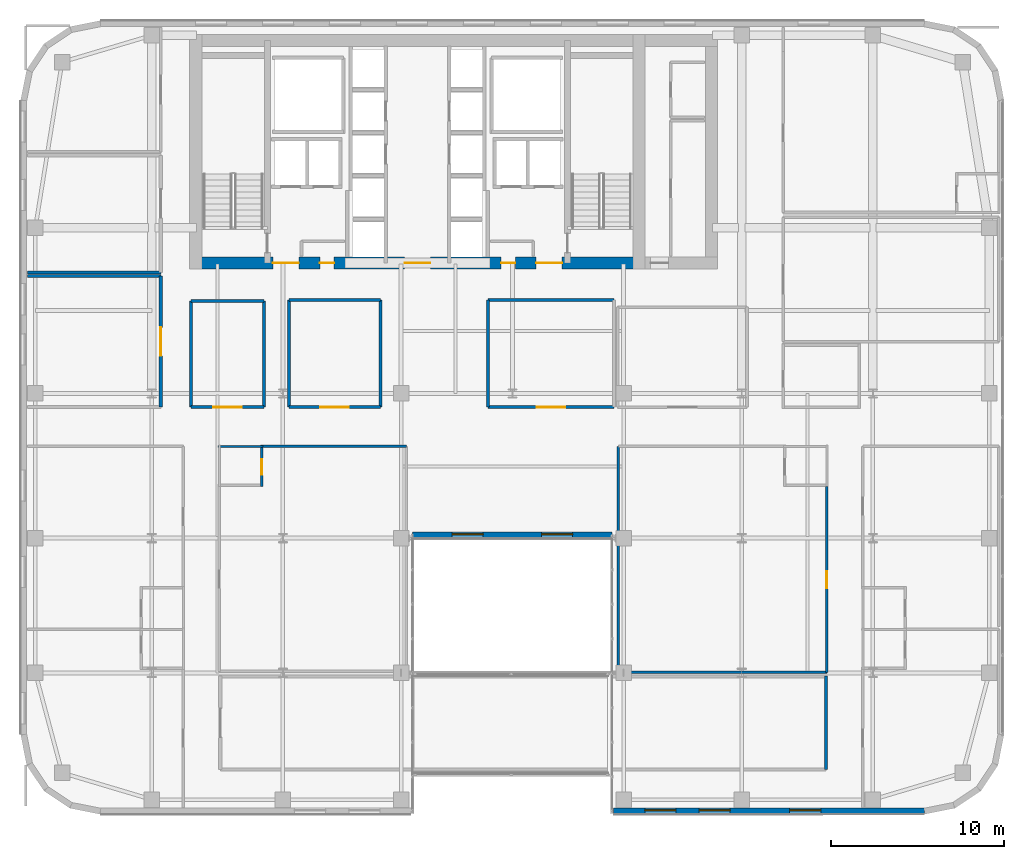
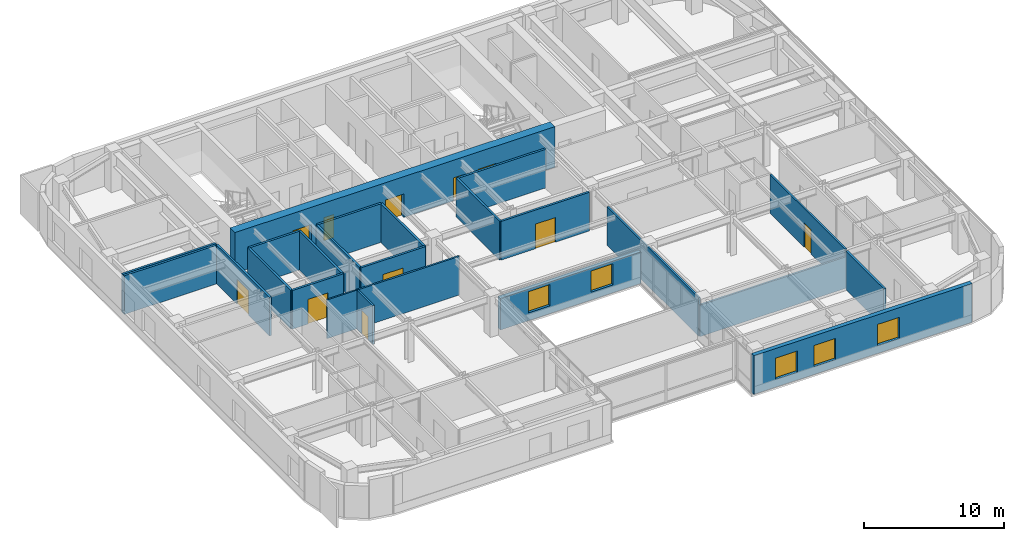
# One storey, part 22 of 31: 24 walls, 11 doors, 5 windows, 16 openings.
"""IFC4 building model written with IfcOpenShell, lengths in metres."""

import ifcopenshell
import ifcopenshell.guid

model = None  # the IFC model being written
_history = None  # IfcOwnerHistory: only IFC2X3 demands one
_inside = {}  # id of a spatial element -> (the spatial element, [elements in it])
_under = {}  # id of a project, library or spatial element -> (it, [spatial elements below it])
_declared = {}  # id of a project -> (the project, [libraries it declares])
_typed = {}  # id of a type object -> (the type object, [elements of that type])
_made_of = {}  # id of a material, layer set ... -> (it, [elements and type objects made of it])


def new_model(schema):
    """Start an empty IFC model of exactly this schema.

    Asked for "IFC4X3", IfcOpenShell would pick the latest addendum, in which some entities
    have other attributes; the version numbers below select the first issue.
    IFC2X3 requires an IfcOwnerHistory on every rooted entity: one is made here for all.
    """
    global model, _history
    if schema == "IFC4X3":
        model = ifcopenshell.file(schema_version=(4, 3, 0, 0))
    else:
        model = ifcopenshell.file(schema=schema)
    _inside.clear()
    _under.clear()
    _declared.clear()
    _typed.clear()
    _made_of.clear()
    _history = None
    if model.schema == "IFC2X3":
        org = make("IfcOrganization", Name="unknown")
        user = make(
            "IfcPersonAndOrganization",
            ThePerson=make("IfcPerson", FamilyName="unknown"),
            TheOrganization=org,
        )
        app = make(
            "IfcApplication",
            ApplicationDeveloper=org,
            Version="unknown",
            ApplicationFullName="unknown",
            ApplicationIdentifier="unknown",
        )
        _history = make(
            "IfcOwnerHistory",
            OwningUser=user,
            OwningApplication=app,
            ChangeAction="ADDED",
            CreationDate=0,
        )
    return model


def make(cls, **values):
    """One entity of the class cls with the attributes given. An attribute that is None is left unset."""
    return model.create_entity(
        cls, **{name: value for name, value in values.items() if value is not None}
    )


def rooted(cls, **values):
    """An entity with a GlobalId (a new one), such as an element, a storey or a relation."""
    return make(cls, GlobalId=ifcopenshell.guid.new(), OwnerHistory=_history, **values)


def si_unit(unit_type, name, prefix=None):
    """IfcSIUnit, for example si_unit("LENGTHUNIT", "METRE", prefix="MILLI")."""
    return make("IfcSIUnit", UnitType=unit_type, Prefix=prefix, Name=name)


def assignment(units):
    """IfcUnitAssignment: the units of a project."""
    return None if units is None else make("IfcUnitAssignment", Units=units)


def point(xyz):
    """IfcCartesianPoint."""
    return None if xyz is None else make("IfcCartesianPoint", Coordinates=xyz)


def direction(xyz):
    """IfcDirection."""
    return None if xyz is None else make("IfcDirection", DirectionRatios=xyz)


def frame(location, z_axis=None, x_axis=None):
    """IfcAxis2Placement3D, a coordinate frame: its origin and axes. An axis left out is left unset."""
    return make(
        "IfcAxis2Placement3D",
        Location=point(location),
        Axis=direction(z_axis),
        RefDirection=direction(x_axis),
    )


def frame_2d(location, x_axis=None):
    """IfcAxis2Placement2D, a coordinate frame in the plane: its origin and x axis."""
    return make(
        "IfcAxis2Placement2D", Location=point(location), RefDirection=direction(x_axis)
    )


def origin():
    """The frame at (0, 0, 0) with its axes left unset."""
    return frame((0.0, 0.0, 0.0))


def place(relative_to, where):
    """IfcLocalPlacement: puts the frame where relative to a parent placement (None: the world)."""
    return make(
        "IfcLocalPlacement", PlacementRelTo=relative_to, RelativePlacement=where
    )


def context(
    kind, dimensions, precision=None, world=None, true_north=None, identifier=None
):
    """IfcGeometricRepresentationContext, for example the 3D "Model" context."""
    return make(
        "IfcGeometricRepresentationContext",
        ContextIdentifier=identifier,
        ContextType=kind,
        CoordinateSpaceDimension=dimensions,
        Precision=precision,
        WorldCoordinateSystem=world,
        TrueNorth=true_north,
    )


def subcontext(parent, identifier, kind, view, scale=None):
    """IfcGeometricRepresentationSubContext, for example "Body" below "Model"."""
    return make(
        "IfcGeometricRepresentationSubContext",
        ContextIdentifier=identifier,
        ContextType=kind,
        ParentContext=parent,
        TargetScale=scale,
        TargetView=view,
    )


def project(units=None, contexts=None):
    """IfcProject with its units and contexts."""
    return rooted(
        "IfcProject",
        Name="project",
        RepresentationContexts=contexts,
        UnitsInContext=assignment(units),
    )


def spatial(cls, under=None, at=None, **own):
    """A site, building, storey or space (cls), placed at a placement, below another one or the project."""
    s = rooted(cls, ObjectPlacement=at, **own)
    if under is not None:
        _under.setdefault(under.id(), (under, []))[1].append(s)
    return s


def profile(cls, at=None, kind="AREA", **sizes):
    """A parametric profile (cls). Its sizes go by their IFC names, for example OverallWidth=200.0."""
    return make(cls, ProfileType=kind, Position=at, **sizes)


def rectangle(**sizes):
    """IfcRectangleProfileDef."""
    return profile("IfcRectangleProfileDef", **sizes)


def extrude(swept, where, along, depth):
    """IfcExtrudedAreaSolid: the profile swept, set in the frame where, extruded along a direction by depth."""
    return make(
        "IfcExtrudedAreaSolid",
        SweptArea=swept,
        Position=where,
        ExtrudedDirection=direction(along),
        Depth=depth,
    )


def shape(context_of_items, identifier, shape_type, items):
    """IfcShapeRepresentation: the items that make up one representation, for example the "Body"."""
    return make(
        "IfcShapeRepresentation",
        ContextOfItems=context_of_items,
        RepresentationIdentifier=identifier,
        RepresentationType=shape_type,
        Items=items,
    )


def source(mapping_origin, context_of_items, identifier, shape_type, items):
    """IfcRepresentationMap: a shape defined once, which mapped items show again and again."""
    return make(
        "IfcRepresentationMap",
        MappingOrigin=mapping_origin,
        MappedRepresentation=shape(context_of_items, identifier, shape_type, items),
    )


def transform(
    local_origin,
    x_axis=None,
    y_axis=None,
    z_axis=None,
    scale=None,
    scale2=None,
    scale3=None,
    uniform=True,
):
    """IfcCartesianTransformationOperator3D, or its non-uniform kind. x_axis, y_axis, z_axis: its Axis1, 2, 3."""
    if uniform:
        return make(
            "IfcCartesianTransformationOperator3D",
            Axis1=direction(x_axis),
            Axis2=direction(y_axis),
            LocalOrigin=point(local_origin),
            Scale=scale,
            Axis3=direction(z_axis),
        )
    return make(
        "IfcCartesianTransformationOperator3DnonUniform",
        Axis1=direction(x_axis),
        Axis2=direction(y_axis),
        LocalOrigin=point(local_origin),
        Scale=scale,
        Axis3=direction(z_axis),
        Scale2=scale2,
        Scale3=scale3,
    )


def mapped(mapping_source, mapping_target):
    """IfcMappedItem: shows the shape of a source again, moved by a transform."""
    return make(
        "IfcMappedItem", MappingSource=mapping_source, MappingTarget=mapping_target
    )


def material(Name=None, Category=None):
    """IfcMaterial."""
    return make("IfcMaterial", Name=Name, Category=Category)


def layer(
    of_material, thickness, ventilated=None, Name=None, Category=None, Priority=None
):
    """IfcMaterialLayer: one layer of a wall or slab, of a material (None: an air gap)."""
    return make(
        "IfcMaterialLayer",
        Material=of_material,
        LayerThickness=thickness,
        IsVentilated=ventilated,
        Name=Name,
        Category=Category,
        Priority=Priority,
    )


def layer_set(layers, Name=None):
    """IfcMaterialLayerSet."""
    return make("IfcMaterialLayerSet", MaterialLayers=layers, LayerSetName=Name)


def made_of(thing, what):
    """Note that an element or type object is made of a material, layer set ...; save() writes the relation."""
    if what is not None:
        _made_of.setdefault(what.id(), (what, []))[1].append(thing)
    return thing


def type_object(cls, material=None, **own):
    """A type object (cls), such as IfcWallType, which elements share."""
    return made_of(rooted(cls, **own), material)


def type_shapes(of_type, sources):
    """Give a type object the sources (RepresentationMaps) that its elements show as mapped items."""
    of_type.RepresentationMaps = sources


def element(
    cls,
    number,
    at=None,
    inside=None,
    cuts=None,
    type_object=None,
    material=None,
    context=None,
    identifier="Body",
    shape_type=None,
    held_by="IfcProductDefinitionShape",
    body=None,
    shapes=None,
    **own,
):
    """One element of the class cls, such as IfcWall. Its Tag is "e" and its number.

    at: its placement. inside: the storey or other place that contains it. cuts: it is an
    opening in that element (IfcRelVoidsElement). A single representation is given by context,
    identifier, shape_type and body (its items); several are given by shapes. held_by: the class
    of the entity that holds the representations. save() writes the other relations.
    """
    e = rooted(cls, Tag="e%d" % number, ObjectPlacement=at, **own)
    if body is not None:
        shapes = [shape(context, identifier, shape_type, body)]
    if shapes is not None:
        e.Representation = make(held_by, Representations=shapes)
    if inside is not None:
        _inside.setdefault(inside.id(), (inside, []))[1].append(e)
    if cuts is not None:
        rooted(
            "IfcRelVoidsElement", RelatingBuildingElement=cuts, RelatedOpeningElement=e
        )
    if type_object is not None:
        _typed.setdefault(type_object.id(), (type_object, []))[1].append(e)
    return made_of(e, material)


def fill(opening, filler):
    """IfcRelFillsElement: the door or window that sits in an opening."""
    return rooted(
        "IfcRelFillsElement",
        RelatingOpeningElement=opening,
        RelatedBuildingElement=filler,
    )


def aggregate(whole, parts):
    """IfcRelAggregates: a whole, such as a stair, and the parts it consists of."""
    return rooted("IfcRelAggregates", RelatingObject=whole, RelatedObjects=parts)


def save(model, path):
    """Write the relations noted so far, then the file.

    IfcRelAggregates (storeys below a building ...), IfcRelContainedInSpatialStructure (elements
    in a storey), IfcRelDefinesByType, IfcRelAssociatesMaterial and IfcRelDeclares: one each for
    every whole, place, type object, material and project.
    """
    for whole, parts in _under.values():
        aggregate(whole, parts)
    for where, things in _inside.values():
        rooted(
            "IfcRelContainedInSpatialStructure",
            RelatedElements=things,
            RelatingStructure=where,
        )
    for kind, things in _typed.values():
        rooted("IfcRelDefinesByType", RelatedObjects=things, RelatingType=kind)
    for what, things in _made_of.values():
        rooted("IfcRelAssociatesMaterial", RelatedObjects=things, RelatingMaterial=what)
    for by, libraries in _declared.values():
        rooted("IfcRelDeclares", RelatingContext=by, RelatedDefinitions=libraries)
    model.write(path)


model = new_model("IFC4")

# Units and contexts
model_context = context("Model", 3, precision=1e-05, world=origin(), true_north=direction((0.0, 1.0)))
body_context = subcontext(model_context, "Body", "Model", "MODEL_VIEW")
ifc_project = project(units=[si_unit("LENGTHUNIT", "METRE"), si_unit("AREAUNIT", "SQUARE_METRE"), si_unit("VOLUMEUNIT", "CUBIC_METRE"), si_unit("PLANEANGLEUNIT", "RADIAN"), si_unit("MASSUNIT", "GRAM", prefix="KILO")], contexts=[model_context])

# Site, building, storey
site_placement = place(None, origin())
site = spatial("IfcSite", under=ifc_project, at=site_placement, CompositionType="ELEMENT")
building_placement = place(site_placement, origin())
building = spatial("IfcBuilding", under=site, at=building_placement, Name="Tolvann Quenvar Hotel", CompositionType="ELEMENT")
storey_placement = place(building_placement, frame((0.0, 0.0, 125.75)))
storey = spatial("IfcBuildingStorey", under=building, at=storey_placement, Name="L32", CompositionType="ELEMENT", Elevation=125.75)

# Wall, openings, doors
ifc_material_1 = material(Name="Concrete S65 (65 MPa)", Category="concrete")
ifc_layer_1 = layer(ifc_material_1, 0.699951171875)
ifc_layer_set_1 = layer_set([ifc_layer_1], Name="Concrete S65 (65 MPa)")
wall_type_1 = type_object("IfcWallType", Name="WALL_CORE_700", PredefinedType="SHEAR", material=ifc_layer_set_1)
wall_1_placement = place(storey_placement, frame((9.800048828125, 31.949951171875, 0.0), z_axis=(0.0, 0.0, 1.0), x_axis=(1.0, 0.0, 0.0)))
wall_1 = element("IfcWall", 1, at=wall_1_placement, inside=storey, type_object=wall_type_1, Name="Rear Core S Shear Wall (L32)", PredefinedType="SHEAR", context=body_context, shape_type="SweptSolid", body=[
    extrude(rectangle(XDim=26.39990234375, YDim=0.699951171875, at=frame_2d((13.199951171875, 0.0))), origin(), (0.0, 0.0, 1.0), 3.550048828125),
])
opening_1_placement = place(wall_1_placement, frame((6.320068359375, 0.0, 0.0), z_axis=(0.0, 0.0, 1.0), x_axis=(-1.0, 0.0, 0.0)))
opening_1 = element("IfcOpeningElement", 2, at=opening_1_placement, cuts=wall_1, Name="Opening FD-60D", PredefinedType="OPENING", context=body_context, shape_type="SweptSolid", body=[
    extrude(rectangle(XDim=1.5, YDim=2.0400390625, at=frame_2d((0.75, 1.02001953125))), frame((0.0, 0.35986328125, 0.0), z_axis=(0.0, -1.0, 0.0), x_axis=(1.0, 0.0, 0.0)), (0.0, 0.0, 1.0), 0.719970703125),
])
opening_2_placement = place(wall_1_placement, frame((13.949951171875, 0.0, 0.0), z_axis=(0.0, 0.0, 1.0), x_axis=(-1.0, 0.0, 0.0)))
opening_2 = element("IfcOpeningElement", 3, at=opening_2_placement, cuts=wall_1, Name="Opening FD-60D", PredefinedType="OPENING", context=body_context, shape_type="SweptSolid", body=[
    extrude(rectangle(XDim=1.5, YDim=2.0400390625, at=frame_2d((0.75, 1.02001953125))), frame((0.0, 0.35986328125, 0.0), z_axis=(0.0, -1.0, 0.0), x_axis=(1.0, 0.0, 0.0)), (0.0, 0.0, 1.0), 0.719970703125),
])
opening_3_placement = place(wall_1_placement, frame((21.580078125, 0.0, 0.0), z_axis=(0.0, 0.0, 1.0), x_axis=(-1.0, 0.0, 0.0)))
opening_3 = element("IfcOpeningElement", 4, at=opening_3_placement, cuts=wall_1, Name="Opening FD-60D", PredefinedType="OPENING", context=body_context, shape_type="SweptSolid", body=[
    extrude(rectangle(XDim=1.5, YDim=2.0400390625, at=frame_2d((0.75, 1.02001953125))), frame((0.0, 0.35986328125, 0.0), z_axis=(0.0, -1.0, 0.0), x_axis=(1.0, 0.0, 0.0)), (0.0, 0.0, 1.0), 0.719970703125),
])
opening_4_placement = place(wall_1_placement, frame((8.3701171875, 0.0, 0.0), z_axis=(0.0, 0.0, 1.0), x_axis=(-1.0, 0.0, 0.0)))
opening_4 = element("IfcOpeningElement", 5, at=opening_4_placement, cuts=wall_1, Name="Opening HD-02", PredefinedType="OPENING", context=body_context, shape_type="SweptSolid", body=[
    extrude(rectangle(XDim=0.820068359375, YDim=2.010009765625, at=frame_2d((0.41015625, 1.0048828125))), frame((0.0, 0.35986328125, 0.0), z_axis=(0.0, -1.0, 0.0), x_axis=(1.0, 0.0, 0.0)), (0.0, 0.0, 1.0), 0.719970703125),
])
opening_5_placement = place(wall_1_placement, frame((18.8701171875, 0.0, 0.0), z_axis=(0.0, 0.0, 1.0), x_axis=(-1.0, 0.0, 0.0)))
opening_5 = element("IfcOpeningElement", 6, at=opening_5_placement, cuts=wall_1, Name="Opening HD-02", PredefinedType="OPENING", context=body_context, shape_type="SweptSolid", body=[
    extrude(rectangle(XDim=0.820068359375, YDim=2.010009765625, at=frame_2d((0.41015625, 1.0048828125))), frame((0.0, 0.35986328125, 0.0), z_axis=(0.0, -1.0, 0.0), x_axis=(1.0, 0.0, 0.0)), (0.0, 0.0, 1.0), 0.719970703125),
])
ifc_material_2 = material(Name="Solid-core American oak acoustic fire door leaf in steel frame", Category="steel")
door_type_1 = type_object("IfcDoorType", Name="DOOR_FIRE_LOBBY_1500", OperationType="NOTDEFINED", PredefinedType="DOOR", material=ifc_material_2)
shared_shape_1 = source(origin(), body_context, "Body", "SweptSolid", [
    extrude(rectangle(XDim=1.5, YDim=2.0400390625, at=frame_2d((0.75, 1.02001953125))), frame((0.0, 0.02490234375, 0.0), z_axis=(0.0, -1.0, 0.0), x_axis=(1.0, 0.0, 0.0)), (0.0, 0.0, 1.0), 0.050048828125),
])
type_shapes(door_type_1, [shared_shape_1])
door_1_placement = place(opening_1_placement, origin())
door_1 = element("IfcDoor", 7, at=door_1_placement, inside=storey, type_object=door_type_1, Name="Core Lobby Fire Door FFW (L32)", OperationType="DOUBLE_DOOR_SINGLE_SWING", OverallHeight=2.0400390625, OverallWidth=1.5, PredefinedType="DOOR", context=body_context, shape_type="MappedRepresentation", body=[
    mapped(shared_shape_1, transform((0.0, 0.0, 0.0), x_axis=(1.0, 0.0, 0.0), y_axis=(0.0, 1.0, 0.0), z_axis=(0.0, 0.0, 1.0), scale=1.0)),
])
fill(opening_1, door_1)
door_2_placement = place(opening_2_placement, origin())
door_2 = element("IfcDoor", 8, at=door_2_placement, inside=storey, type_object=door_type_1, Name="Core Lobby Fire Door CLOB (L32)", OperationType="DOUBLE_DOOR_SINGLE_SWING", OverallHeight=2.0400390625, OverallWidth=1.5, PredefinedType="DOOR", context=body_context, shape_type="MappedRepresentation", body=[
    mapped(shared_shape_1, transform((0.0, 0.0, 0.0), x_axis=(1.0, 0.0, 0.0), y_axis=(0.0, 1.0, 0.0), z_axis=(0.0, 0.0, 1.0), scale=1.0)),
])
fill(opening_2, door_2)
door_3_placement = place(opening_3_placement, origin())
door_3 = element("IfcDoor", 9, at=door_3_placement, inside=storey, type_object=door_type_1, Name="Core Lobby Fire Door FFE (L32)", OperationType="DOUBLE_DOOR_SINGLE_SWING", OverallHeight=2.0400390625, OverallWidth=1.5, PredefinedType="DOOR", context=body_context, shape_type="MappedRepresentation", body=[
    mapped(shared_shape_1, transform((0.0, 0.0, 0.0), x_axis=(1.0, 0.0, 0.0), y_axis=(0.0, 1.0, 0.0), z_axis=(0.0, 0.0, 1.0), scale=1.0)),
])
fill(opening_3, door_3)
ifc_material_3 = material(Name="Pressed galvanised steel fire-rated door set", Category="steel")
door_type_2 = type_object("IfcDoorType", Name="DOOR_STORE_820", OperationType="NOTDEFINED", PredefinedType="DOOR", material=ifc_material_3)
shared_shape_2 = source(origin(), body_context, "Body", "SweptSolid", [
    extrude(rectangle(XDim=0.820068359375, YDim=2.010009765625, at=frame_2d((0.41015625, 1.0048828125))), frame((0.0, 0.02490234375, 0.0), z_axis=(0.0, -1.0, 0.0), x_axis=(1.0, 0.0, 0.0)), (0.0, 0.0, 1.0), 0.050048828125),
])
type_shapes(door_type_2, [shared_shape_2])
door_4_placement = place(opening_4_placement, origin())
door_4 = element("IfcDoor", 10, at=door_4_placement, inside=storey, type_object=door_type_2, Name="Core Linen Store Fire Door (L32)", OperationType="SINGLE_SWING_LEFT", OverallHeight=2.010009765625, OverallWidth=0.820068359375, PredefinedType="DOOR", context=body_context, shape_type="MappedRepresentation", body=[
    mapped(shared_shape_2, transform((0.0, 0.0, 0.0), x_axis=(1.0, 0.0, 0.0), y_axis=(0.0, 1.0, 0.0), z_axis=(0.0, 0.0, 1.0), scale=1.0)),
])
fill(opening_4, door_4)
door_5_placement = place(opening_5_placement, origin())
door_5 = element("IfcDoor", 11, at=door_5_placement, inside=storey, type_object=door_type_2, Name="Core Comms Closet Fire Door (L32)", OperationType="SINGLE_SWING_RIGHT", OverallHeight=2.010009765625, OverallWidth=0.820068359375, PredefinedType="DOOR", context=body_context, shape_type="MappedRepresentation", body=[
    mapped(shared_shape_2, transform((0.0, 0.0, 0.0), x_axis=(1.0, 0.0, 0.0), y_axis=(0.0, 1.0, 0.0), z_axis=(0.0, 0.0, 1.0), scale=1.0)),
])
fill(opening_5, door_5)

# Wall, openings, windows
ifc_material_4 = material(Name="Kiln-fired red and buff architectural clay brickwork and terracotta masonry", Category="masonry")
ifc_layer_2 = layer(ifc_material_4, 0.35009765625)
ifc_layer_set_2 = layer_set([ifc_layer_2], Name="Kiln-fired red and buff architectural clay brickwork and terracotta masonry")
wall_type_2 = type_object("IfcWallType", Name="WALL_EXT_BRICK_350", PredefinedType="SOLIDWALL", material=ifc_layer_set_2)
wall_2_placement = place(storey_placement, frame((22.7099609375, 16.175048828125, 0.0), z_axis=(0.0, 0.0, 1.0), x_axis=(1.0, 0.0, 0.0)))
wall_2 = element("IfcWall", 12, at=wall_2_placement, inside=storey, type_object=wall_type_2, Name="Exterior Chicago Brick Wall L32-E06", PredefinedType="SOLIDWALL", context=body_context, shape_type="SweptSolid", body=[
    extrude(rectangle(XDim=11.580078125, YDim=0.35009765625, at=frame_2d((5.7900390625, 0.0))), origin(), (0.0, 0.0, 1.0), 2.748046875),
])
opening_6_placement = place(wall_2_placement, frame((2.294921875, 0.0, 0.679931640625)))
opening_6 = element("IfcOpeningElement", 13, at=opening_6_placement, cuts=wall_2, Name="Opening W-03", PredefinedType="OPENING", context=body_context, shape_type="SweptSolid", body=[
    extrude(rectangle(XDim=1.800048828125, YDim=1.85009765625, at=frame_2d((0.89990234375, 0.925048828125))), frame((0.0, 0.18505859375, 0.0), z_axis=(0.0, -1.0, 0.0), x_axis=(1.0, 0.0, 0.0)), (0.0, 0.0, 1.0), 0.3701171875),
])
opening_7_placement = place(wall_2_placement, frame((7.485107421875, 0.0, 0.679931640625)))
opening_7 = element("IfcOpeningElement", 14, at=opening_7_placement, cuts=wall_2, Name="Opening W-03", PredefinedType="OPENING", context=body_context, shape_type="SweptSolid", body=[
    extrude(rectangle(XDim=1.800048828125, YDim=1.85009765625, at=frame_2d((0.89990234375, 0.925048828125))), frame((0.0, 0.18505859375, 0.0), z_axis=(0.0, -1.0, 0.0), x_axis=(1.0, 0.0, 0.0)), (0.0, 0.0, 1.0), 0.3701171875),
])
ifc_material_5 = material(Name="Thermally broken bronze-anodised aluminium frame with double low-E glazing", Category="aluminium")
window_type = type_object("IfcWindowType", Name="WIN_CHI_1800x2050", PartitioningType="TRIPLE_PANEL_HORIZONTAL", PredefinedType="WINDOW", material=ifc_material_5)
shared_shape_3 = source(origin(), body_context, "Body", "SweptSolid", [
    extrude(rectangle(XDim=1.800048828125, YDim=1.85009765625, at=frame_2d((0.89990234375, 0.925048828125))), frame((0.0, 0.090087890625, 0.0), z_axis=(0.0, -1.0, 0.0), x_axis=(1.0, 0.0, 0.0)), (0.0, 0.0, 1.0), 0.06005859375),
])
type_shapes(window_type, [shared_shape_3])
window_1_placement = place(opening_6_placement, origin())
window_1 = element("IfcWindow", 15, at=window_1_placement, inside=storey, type_object=window_type, Name="Chicago Window W-03 (EW-L32-E06-W01)", OverallHeight=1.85009765625, OverallWidth=1.800048828125, PartitioningType="TRIPLE_PANEL_HORIZONTAL", PredefinedType="WINDOW", context=body_context, shape_type="MappedRepresentation", body=[
    mapped(shared_shape_3, transform((0.0, 0.0, 0.0), x_axis=(1.0, 0.0, 0.0), y_axis=(0.0, 1.0, 0.0), z_axis=(0.0, 0.0, 1.0), scale=1.0)),
])
fill(opening_6, window_1)
window_2_placement = place(opening_7_placement, origin())
window_2 = element("IfcWindow", 16, at=window_2_placement, inside=storey, type_object=window_type, Name="Chicago Window W-03 (EW-L32-E06-W02)", OverallHeight=1.85009765625, OverallWidth=1.800048828125, PartitioningType="TRIPLE_PANEL_HORIZONTAL", PredefinedType="WINDOW", context=body_context, shape_type="MappedRepresentation", body=[
    mapped(shared_shape_3, transform((0.0, 0.0, 0.0), x_axis=(1.0, 0.0, 0.0), y_axis=(0.0, 1.0, 0.0), z_axis=(0.0, 0.0, 1.0), scale=1.0)),
])
fill(opening_7, window_2)

wall_3_placement = place(storey_placement, frame((34.375, 0.175048828125, 0.0), z_axis=(0.0, 0.0, 1.0), x_axis=(1.0, 0.0, 0.0)))
wall_3 = element("IfcWall", 17, at=wall_3_placement, inside=storey, type_object=wall_type_2, Name="Exterior Chicago Brick Wall L32-E08", PredefinedType="SOLIDWALL", context=body_context, shape_type="SweptSolid", body=[
    extrude(rectangle(XDim=18.0078125, YDim=0.35009765625, at=frame_2d((9.00390625, 0.0))), origin(), (0.0, 0.0, 1.0), 3.3701171875),
])
opening_8_placement = place(wall_3_placement, frame((1.801025390625, 0.0, 0.679931640625)))
opening_8 = element("IfcOpeningElement", 18, at=opening_8_placement, cuts=wall_3, Name="Opening W-03", PredefinedType="OPENING", context=body_context, shape_type="SweptSolid", body=[
    extrude(rectangle(XDim=1.800048828125, YDim=1.85009765625, at=frame_2d((0.89990234375, 0.925048828125))), frame((0.0, 0.18505859375, 0.0), z_axis=(0.0, -1.0, 0.0), x_axis=(1.0, 0.0, 0.0)), (0.0, 0.0, 1.0), 0.3701171875),
])
opening_9_placement = place(wall_3_placement, frame((4.952880859375, 0.0, 0.679931640625)))
opening_9 = element("IfcOpeningElement", 19, at=opening_9_placement, cuts=wall_3, Name="Opening W-03", PredefinedType="OPENING", context=body_context, shape_type="SweptSolid", body=[
    extrude(rectangle(XDim=1.800048828125, YDim=1.85009765625, at=frame_2d((0.89990234375, 0.925048828125))), frame((0.0, 0.18505859375, 0.0), z_axis=(0.0, -1.0, 0.0), x_axis=(1.0, 0.0, 0.0)), (0.0, 0.0, 1.0), 0.3701171875),
])
opening_10_placement = place(wall_3_placement, frame((10.205078125, 0.0, 0.679931640625)))
opening_10 = element("IfcOpeningElement", 20, at=opening_10_placement, cuts=wall_3, Name="Opening W-03", PredefinedType="OPENING", context=body_context, shape_type="SweptSolid", body=[
    extrude(rectangle(XDim=1.800048828125, YDim=1.85009765625, at=frame_2d((0.89990234375, 0.925048828125))), frame((0.0, 0.18505859375, 0.0), z_axis=(0.0, -1.0, 0.0), x_axis=(1.0, 0.0, 0.0)), (0.0, 0.0, 1.0), 0.3701171875),
])
window_3_placement = place(opening_8_placement, origin())
window_3 = element("IfcWindow", 21, at=window_3_placement, inside=storey, type_object=window_type, Name="Chicago Window W-03 (EW-L32-E08-W01)", OverallHeight=1.85009765625, OverallWidth=1.800048828125, PartitioningType="TRIPLE_PANEL_HORIZONTAL", PredefinedType="WINDOW", context=body_context, shape_type="MappedRepresentation", body=[
    mapped(shared_shape_3, transform((0.0, 0.0, 0.0), x_axis=(1.0, 0.0, 0.0), y_axis=(0.0, 1.0, 0.0), z_axis=(0.0, 0.0, 1.0), scale=1.0)),
])
fill(opening_8, window_3)
window_4_placement = place(opening_9_placement, origin())
window_4 = element("IfcWindow", 22, at=window_4_placement, inside=storey, type_object=window_type, Name="Chicago Window W-03 (EW-L32-E08-W02)", OverallHeight=1.85009765625, OverallWidth=1.800048828125, PartitioningType="TRIPLE_PANEL_HORIZONTAL", PredefinedType="WINDOW", context=body_context, shape_type="MappedRepresentation", body=[
    mapped(shared_shape_3, transform((0.0, 0.0, 0.0), x_axis=(1.0, 0.0, 0.0), y_axis=(0.0, 1.0, 0.0), z_axis=(0.0, 0.0, 1.0), scale=1.0)),
])
fill(opening_9, window_4)
window_5_placement = place(opening_10_placement, origin())
window_5 = element("IfcWindow", 23, at=window_5_placement, inside=storey, type_object=window_type, Name="Chicago Window W-03 (EW-L32-E08-W03)", OverallHeight=1.85009765625, OverallWidth=1.800048828125, PartitioningType="TRIPLE_PANEL_HORIZONTAL", PredefinedType="WINDOW", context=body_context, shape_type="MappedRepresentation", body=[
    mapped(shared_shape_3, transform((0.0, 0.0, 0.0), x_axis=(1.0, 0.0, 0.0), y_axis=(0.0, 1.0, 0.0), z_axis=(0.0, 0.0, 1.0), scale=1.0)),
])
fill(opening_10, window_5)

# Wall
ifc_material_6 = material(Name="Acoustic twin-stud fire-rated gypsum plasterboard partition")
ifc_layer_3 = layer(ifc_material_6, 0.179931640625)
ifc_layer_set_3 = layer_set([ifc_layer_3], Name="Acoustic twin-stud fire-rated gypsum plasterboard partition")
wall_type_3 = type_object("IfcWallType", Name="WALL_PART_ACOUSTIC_180", PredefinedType="PARTITIONING", material=ifc_layer_set_3)
wall_4_placement = place(storey_placement, frame((0.405029296875, 31.199951171875, 0.0), z_axis=(0.0, 0.0, 1.0), x_axis=(1.0, 0.0, 0.0)))
element("IfcWall", 24, at=wall_4_placement, inside=storey, type_object=wall_type_3, Name="Interior Partition PT-SPC-L32-SAL-N", PredefinedType="PARTITIONING", context=body_context, shape_type="SweptSolid", body=[
    extrude(rectangle(XDim=7.715087890625, YDim=0.179931640625, at=frame_2d((3.857421875, 0.0))), origin(), (0.0, 0.0, 1.0), 3.3701171875),
])

# Wall, opening, door
wall_5_placement = place(storey_placement, frame((8.1201171875, 23.60009765625, 0.0), z_axis=(0.0, 0.0, 1.0), x_axis=(0.0, 1.0, 0.0)))
wall_5 = element("IfcWall", 25, at=wall_5_placement, inside=storey, type_object=wall_type_3, Name="Interior Partition PT-SPC-L32-SAL-E", PredefinedType="PARTITIONING", context=body_context, shape_type="SweptSolid", body=[
    extrude(rectangle(XDim=7.599853515625, YDim=0.179931640625, at=frame_2d((3.7998046875, 0.0))), origin(), (0.0, 0.0, 1.0), 3.3701171875),
])
opening_11_placement = place(wall_5_placement, frame((2.97509765625, 0.0, 0.0)))
opening_11 = element("IfcOpeningElement", 26, at=opening_11_placement, cuts=wall_5, Name="Opening AD-01", PredefinedType="OPENING", context=body_context, shape_type="SweptSolid", body=[
    extrude(rectangle(XDim=1.64990234375, YDim=2.14990234375, at=frame_2d((0.824951171875, 1.074951171875))), frame((0.0, 0.10009765625, 0.0), z_axis=(0.0, -1.0, 0.0), x_axis=(1.0, 0.0, 0.0)), (0.0, 0.0, 1.0), 0.199951171875),
])
door_type_3 = type_object("IfcDoorType", Name="DOOR_SALON_1650", OperationType="NOTDEFINED", PredefinedType="DOOR", material=ifc_material_2)
shared_shape_4 = source(origin(), body_context, "Body", "SweptSolid", [
    extrude(rectangle(XDim=1.64990234375, YDim=2.14990234375, at=frame_2d((0.824951171875, 1.074951171875))), frame((0.0, 0.02490234375, 0.0), z_axis=(0.0, -1.0, 0.0), x_axis=(1.0, 0.0, 0.0)), (0.0, 0.0, 1.0), 0.050048828125),
])
type_shapes(door_type_3, [shared_shape_4])
door_6_placement = place(opening_11_placement, origin())
door_6 = element("IfcDoor", 27, at=door_6_placement, inside=storey, type_object=door_type_3, Name="Interior Door DOOR-SPC-L32-SAL", OperationType="DOUBLE_DOOR_SINGLE_SWING", OverallHeight=2.14990234375, OverallWidth=1.64990234375, PredefinedType="DOOR", context=body_context, shape_type="MappedRepresentation", body=[
    mapped(shared_shape_4, transform((0.0, 0.0, 0.0), x_axis=(1.0, 0.0, 0.0), y_axis=(0.0, 1.0, 0.0), z_axis=(0.0, 0.0, 1.0), scale=1.0)),
])
fill(opening_11, door_6)

# Wall
wall_6_placement = place(storey_placement, frame((0.405029296875, 31.39990234375, 0.0), z_axis=(0.0, 0.0, 1.0), x_axis=(1.0, 0.0, 0.0)))
element("IfcWall", 28, at=wall_6_placement, inside=storey, type_object=wall_type_3, Name="Interior Partition PT-SPC-L32-MTG-S", PredefinedType="PARTITIONING", context=body_context, shape_type="SweptSolid", body=[
    extrude(rectangle(XDim=7.715087890625, YDim=0.179931640625, at=frame_2d((3.857421875, 0.0))), origin(), (0.0, 0.0, 1.0), 3.3701171875),
])

# Wall, opening, door
wall_7_placement = place(storey_placement, frame((9.8798828125, 23.60009765625, 0.0), z_axis=(0.0, 0.0, 1.0), x_axis=(1.0, 0.0, 0.0)))
wall_7 = element("IfcWall", 29, at=wall_7_placement, inside=storey, type_object=wall_type_3, Name="Interior Partition PT-SPC-L32-MSP-W-S", PredefinedType="PARTITIONING", context=body_context, shape_type="SweptSolid", body=[
    extrude(rectangle(XDim=4.22021484375, YDim=0.179931640625, at=frame_2d((2.110107421875, 0.0))), origin(), (0.0, 0.0, 1.0), 3.3701171875),
])
opening_12_placement = place(wall_7_placement, frame((1.284912109375, 0.0, 0.0)))
opening_12 = element("IfcOpeningElement", 30, at=opening_12_placement, cuts=wall_7, Name="Opening AD-01", PredefinedType="OPENING", context=body_context, shape_type="SweptSolid", body=[
    extrude(rectangle(XDim=1.64990234375, YDim=2.14990234375, at=frame_2d((0.824951171875, 1.074951171875))), frame((0.0, 0.10009765625, 0.0), z_axis=(0.0, -1.0, 0.0), x_axis=(1.0, 0.0, 0.0)), (0.0, 0.0, 1.0), 0.199951171875),
])
door_7_placement = place(opening_12_placement, origin())
door_7 = element("IfcDoor", 31, at=door_7_placement, inside=storey, type_object=door_type_3, Name="Interior Door DOOR-SPC-L32-MSP-W", OperationType="DOUBLE_DOOR_SINGLE_SWING", OverallHeight=2.14990234375, OverallWidth=1.64990234375, PredefinedType="DOOR", context=body_context, shape_type="MappedRepresentation", body=[
    mapped(shared_shape_4, transform((0.0, 0.0, 0.0), x_axis=(1.0, 0.0, 0.0), y_axis=(0.0, 1.0, 0.0), z_axis=(0.0, 0.0, 1.0), scale=1.0)),
])
fill(opening_12, door_7)

# Walls
wall_8_placement = place(storey_placement, frame((9.8798828125, 29.75, 0.0), z_axis=(0.0, 0.0, 1.0), x_axis=(1.0, 0.0, 0.0)))
element("IfcWall", 32, at=wall_8_placement, inside=storey, type_object=wall_type_3, Name="Interior Partition PT-SPC-L32-MSP-W-N", PredefinedType="PARTITIONING", context=body_context, shape_type="SweptSolid", body=[
    extrude(rectangle(XDim=4.22021484375, YDim=0.179931640625, at=frame_2d((2.110107421875, 0.0))), origin(), (0.0, 0.0, 1.0), 3.3701171875),
])
for number, where, z_axis, x_axis, name in (
    (33, (9.8798828125, 23.60009765625, 0.0), (0.0, 0.0, 1.0), (0.0, 1.0, 0.0), "Interior Partition PT-SPC-L32-MSP-W-W"),
    (34, (14.10009765625, 23.60009765625, 0.0), (0.0, 0.0, 1.0), (0.0, 1.0, 0.0), "Interior Partition PT-SPC-L32-MSP-W-E"),
):
    element("IfcWall", number, at=place(storey_placement, frame(where, z_axis=z_axis, x_axis=x_axis)), inside=storey, type_object=wall_type_3, Name=name, PredefinedType="PARTITIONING", context=body_context, shape_type="SweptSolid", body=[
        extrude(rectangle(XDim=6.14990234375, YDim=0.179931640625, at=frame_2d((3.074951171875, 0.0))), origin(), (0.0, 0.0, 1.0), 3.3701171875),
    ])

# Wall, opening, door
wall_9_placement = place(storey_placement, frame((27.10009765625, 23.60009765625, 0.0), z_axis=(0.0, 0.0, 1.0), x_axis=(1.0, 0.0, 0.0)))
wall_9 = element("IfcWall", 35, at=wall_9_placement, inside=storey, type_object=wall_type_3, Name="Interior Partition PT-SPC-L32-MSP-C-S", PredefinedType="PARTITIONING", context=body_context, shape_type="SweptSolid", body=[
    extrude(rectangle(XDim=7.2998046875, YDim=0.179931640625, at=frame_2d((3.64990234375, 0.0))), origin(), (0.0, 0.0, 1.0), 3.3701171875),
])
opening_13_placement = place(wall_9_placement, frame((2.824951171875, 0.0, 0.0)))
opening_13 = element("IfcOpeningElement", 36, at=opening_13_placement, cuts=wall_9, Name="Opening AD-01", PredefinedType="OPENING", context=body_context, shape_type="SweptSolid", body=[
    extrude(rectangle(XDim=1.64990234375, YDim=2.14990234375, at=frame_2d((0.824951171875, 1.074951171875))), frame((0.0, 0.10009765625, 0.0), z_axis=(0.0, -1.0, 0.0), x_axis=(1.0, 0.0, 0.0)), (0.0, 0.0, 1.0), 0.199951171875),
])
door_8_placement = place(opening_13_placement, origin())
door_8 = element("IfcDoor", 37, at=door_8_placement, inside=storey, type_object=door_type_3, Name="Interior Door DOOR-SPC-L32-MSP-C", OperationType="DOUBLE_DOOR_SINGLE_SWING", OverallHeight=2.14990234375, OverallWidth=1.64990234375, PredefinedType="DOOR", context=body_context, shape_type="MappedRepresentation", body=[
    mapped(shared_shape_4, transform((0.0, 0.0, 0.0), x_axis=(1.0, 0.0, 0.0), y_axis=(0.0, 1.0, 0.0), z_axis=(0.0, 0.0, 1.0), scale=1.0)),
])
fill(opening_13, door_8)

# Walls
wall_10_placement = place(storey_placement, frame((27.10009765625, 29.800048828125, 0.0), z_axis=(0.0, 0.0, 1.0), x_axis=(1.0, 0.0, 0.0)))
element("IfcWall", 38, at=wall_10_placement, inside=storey, type_object=wall_type_3, Name="Interior Partition PT-SPC-L32-MSP-C-N", PredefinedType="PARTITIONING", context=body_context, shape_type="SweptSolid", body=[
    extrude(rectangle(XDim=7.2998046875, YDim=0.179931640625, at=frame_2d((3.64990234375, 0.0))), origin(), (0.0, 0.0, 1.0), 3.3701171875),
])
wall_11_placement = place(storey_placement, frame((27.10009765625, 23.60009765625, 0.0), z_axis=(0.0, 0.0, 1.0), x_axis=(0.0, 1.0, 0.0)))
element("IfcWall", 39, at=wall_11_placement, inside=storey, type_object=wall_type_3, Name="Interior Partition PT-SPC-L32-MSP-C-W", PredefinedType="PARTITIONING", context=body_context, shape_type="SweptSolid", body=[
    extrude(rectangle(XDim=6.199951171875, YDim=0.179931640625, at=frame_2d((3.10009765625, 0.0))), origin(), (0.0, 0.0, 1.0), 3.3701171875),
])

# Wall, opening, door
wall_12_placement = place(storey_placement, frame((15.550048828125, 23.60009765625, 0.0), z_axis=(0.0, 0.0, 1.0), x_axis=(1.0, 0.0, 0.0)))
wall_12 = element("IfcWall", 40, at=wall_12_placement, inside=storey, type_object=wall_type_3, Name="Interior Partition PT-SPC-L32-MSP-N-S", PredefinedType="PARTITIONING", context=body_context, shape_type="SweptSolid", body=[
    extrude(rectangle(XDim=5.300048828125, YDim=0.179931640625, at=frame_2d((2.64990234375, 0.0))), origin(), (0.0, 0.0, 1.0), 3.3701171875),
])
opening_14_placement = place(wall_12_placement, frame((1.824951171875, 0.0, 0.0)))
opening_14 = element("IfcOpeningElement", 41, at=opening_14_placement, cuts=wall_12, Name="Opening AD-01", PredefinedType="OPENING", context=body_context, shape_type="SweptSolid", body=[
    extrude(rectangle(XDim=1.64990234375, YDim=2.14990234375, at=frame_2d((0.824951171875, 1.074951171875))), frame((0.0, 0.10009765625, 0.0), z_axis=(0.0, -1.0, 0.0), x_axis=(1.0, 0.0, 0.0)), (0.0, 0.0, 1.0), 0.199951171875),
])
door_9_placement = place(opening_14_placement, origin())
door_9 = element("IfcDoor", 42, at=door_9_placement, inside=storey, type_object=door_type_3, Name="Interior Door DOOR-SPC-L32-MSP-N", OperationType="DOUBLE_DOOR_SINGLE_SWING", OverallHeight=2.14990234375, OverallWidth=1.64990234375, PredefinedType="DOOR", context=body_context, shape_type="MappedRepresentation", body=[
    mapped(shared_shape_4, transform((0.0, 0.0, 0.0), x_axis=(1.0, 0.0, 0.0), y_axis=(0.0, 1.0, 0.0), z_axis=(0.0, 0.0, 1.0), scale=1.0)),
])
fill(opening_14, door_9)

# Walls
wall_13_placement = place(storey_placement, frame((15.550048828125, 29.800048828125, 0.0), z_axis=(0.0, 0.0, 1.0), x_axis=(1.0, 0.0, 0.0)))
element("IfcWall", 43, at=wall_13_placement, inside=storey, type_object=wall_type_3, Name="Interior Partition PT-SPC-L32-MSP-N-N", PredefinedType="PARTITIONING", context=body_context, shape_type="SweptSolid", body=[
    extrude(rectangle(XDim=5.300048828125, YDim=0.179931640625, at=frame_2d((2.64990234375, 0.0))), origin(), (0.0, 0.0, 1.0), 3.3701171875),
])
for number, where, z_axis, x_axis, name in (
    (44, (15.550048828125, 23.60009765625, 0.0), (0.0, 0.0, 1.0), (0.0, 1.0, 0.0), "Interior Partition PT-SPC-L32-MSP-N-W"),
    (45, (20.85009765625, 23.60009765625, 0.0), (0.0, 0.0, 1.0), (0.0, 1.0, 0.0), "Interior Partition PT-SPC-L32-MSP-N-E"),
):
    element("IfcWall", number, at=place(storey_placement, frame(where, z_axis=z_axis, x_axis=x_axis)), inside=storey, type_object=wall_type_3, Name=name, PredefinedType="PARTITIONING", context=body_context, shape_type="SweptSolid", body=[
        extrude(rectangle(XDim=6.199951171875, YDim=0.179931640625, at=frame_2d((3.10009765625, 0.0))), origin(), (0.0, 0.0, 1.0), 3.3701171875),
    ])
wall_14_placement = place(storey_placement, frame((46.679931640625, 2.60009765625, 0.0), z_axis=(0.0, 0.0, 1.0), x_axis=(0.0, 1.0, 0.0)))
element("IfcWall", 46, at=wall_14_placement, inside=storey, type_object=wall_type_3, Name="Interior Partition PT-SPC-L32-BRG-E", PredefinedType="PARTITIONING", context=body_context, shape_type="SweptSolid", body=[
    extrude(rectangle(XDim=5.39990234375, YDim=0.179931640625, at=frame_2d((2.699951171875, 0.0))), origin(), (0.0, 0.0, 1.0), 3.3701171875),
])
ifc_material_7 = material(Name="Moisture-resistant acoustic plumbing wall assembly")
ifc_layer_4 = layer(ifc_material_7, 0.1201171875)
ifc_layer_set_4 = layer_set([ifc_layer_4], Name="Moisture-resistant acoustic plumbing wall assembly")
wall_type_4 = type_object("IfcWallType", Name="WALL_PART_BATH_120", PredefinedType="PLUMBINGWALL", material=ifc_layer_set_4)
wall_15_placement = place(storey_placement, frame((11.449951171875, 21.320068359375, 0.0), z_axis=(0.0, 0.0, 1.0), x_axis=(1.0, 0.0, 0.0)))
element("IfcWall", 47, at=wall_15_placement, inside=storey, type_object=wall_type_4, Name="Non-Rated Plumbing Partition PT-SPC-L32-ENS-WI01-N", PredefinedType="PLUMBINGWALL", context=body_context, shape_type="SweptSolid", body=[
    extrude(rectangle(XDim=2.590087890625, YDim=0.1201171875, at=frame_2d((1.294921875, 0.0))), origin(), (0.0, 0.0, 1.0), 3.3701171875),
])

# Wall, opening, door
ifc_layer_5 = layer(ifc_material_6, 0.14990234375)
ifc_layer_set_5 = layer_set([ifc_layer_5], Name="Acoustic twin-stud fire-rated gypsum plasterboard partition")
wall_type_5 = type_object("IfcWallType", Name="WALL_PART_SUITE_150", PredefinedType="PARTITIONING", material=ifc_layer_set_5)
wall_16_placement = place(storey_placement, frame((13.969970703125, 19.0, 0.0), z_axis=(0.0, 0.0, 1.0), x_axis=(0.0, 1.0, 0.0)))
wall_16 = element("IfcWall", 48, at=wall_16_placement, inside=storey, type_object=wall_type_5, Name="Interior Partition PT-SPC-L32-ENS-WI01-ENT", PredefinedType="PARTITIONING", context=body_context, shape_type="SweptSolid", body=[
    extrude(rectangle(XDim=2.389892578125, YDim=0.14990234375, at=frame_2d((1.19482421875, 0.0))), origin(), (0.0, 0.0, 1.0), 3.3701171875),
])
opening_15_placement = place(wall_16_placement, frame((0.6650390625, 0.0, 0.0)))
opening_15 = element("IfcOpeningElement", 49, at=opening_15_placement, cuts=wall_16, Name="Opening WD-01", PredefinedType="OPENING", context=body_context, shape_type="SweptSolid", body=[
    extrude(rectangle(XDim=0.919921875, YDim=2.010009765625, at=frame_2d((0.4599609375, 1.0048828125))), frame((0.0, 0.0849609375, 0.0), z_axis=(0.0, -1.0, 0.0), x_axis=(1.0, 0.0, 0.0)), (0.0, 0.0, 1.0), 0.169921875),
])
door_type_4 = type_object("IfcDoorType", Name="DOOR_WC_920", OperationType="NOTDEFINED", PredefinedType="DOOR", material=ifc_material_2)
shared_shape_5 = source(origin(), body_context, "Body", "SweptSolid", [
    extrude(rectangle(XDim=0.919921875, YDim=2.010009765625, at=frame_2d((0.4599609375, 1.0048828125))), frame((0.0, 0.02490234375, 0.0), z_axis=(0.0, -1.0, 0.0), x_axis=(1.0, 0.0, 0.0)), (0.0, 0.0, 1.0), 0.050048828125),
])
type_shapes(door_type_4, [shared_shape_5])
door_10_placement = place(opening_15_placement, origin())
door_10 = element("IfcDoor", 50, at=door_10_placement, inside=storey, type_object=door_type_4, Name="Interior Door DOOR-SPC-L32-ENS-WI01", OperationType="SINGLE_SWING_LEFT", OverallHeight=2.010009765625, OverallWidth=0.919921875, PredefinedType="DOOR", context=body_context, shape_type="MappedRepresentation", body=[
    mapped(shared_shape_5, transform((0.0, 0.0, 0.0), x_axis=(1.0, 0.0, 0.0), y_axis=(0.0, 1.0, 0.0), z_axis=(0.0, 0.0, 1.0), scale=1.0)),
])
fill(opening_15, door_10)

# Wall
wall_17_placement = place(storey_placement, frame((13.989990234375, 21.320068359375, 0.0), z_axis=(0.0, 0.0, 1.0), x_axis=(1.0, 0.0, 0.0)))
element("IfcWall", 51, at=wall_17_placement, inside=storey, type_object=wall_type_5, Name="Interior Partition PT-SPC-L32-RM-WI01-E3", PredefinedType="PARTITIONING", context=body_context, shape_type="SweptSolid", body=[
    extrude(rectangle(XDim=8.360107421875, YDim=0.14990234375, at=frame_2d((4.18017578125, 0.0))), origin(), (0.0, 0.0, 1.0), 3.3701171875),
])

# Wall, opening, door
wall_18_placement = place(storey_placement, frame((46.72998046875, 8.22998046875, 0.0), z_axis=(0.0, 0.0, 1.0), x_axis=(0.0, 1.0, 0.0)))
wall_18 = element("IfcWall", 52, at=wall_18_placement, inside=storey, type_object=wall_type_5, Name="Interior Partition PT-SPC-L32-RM-EI01-ENT", PredefinedType="PARTITIONING", context=body_context, shape_type="SweptSolid", body=[
    extrude(rectangle(XDim=10.760009765625, YDim=0.14990234375, at=frame_2d((5.3798828125, 0.0))), origin(), (0.0, 0.0, 1.0), 3.3701171875),
])
opening_16_placement = place(wall_18_placement, frame((4.8701171875, 0.0, 0.0)))
opening_16 = element("IfcOpeningElement", 53, at=opening_16_placement, cuts=wall_18, Name="Opening SD-01", PredefinedType="OPENING", context=body_context, shape_type="SweptSolid", body=[
    extrude(rectangle(XDim=0.97998046875, YDim=2.1201171875, at=frame_2d((0.489990234375, 1.06005859375))), frame((0.0, 0.0849609375, 0.0), z_axis=(0.0, -1.0, 0.0), x_axis=(1.0, 0.0, 0.0)), (0.0, 0.0, 1.0), 0.169921875),
])
door_type_5 = type_object("IfcDoorType", Name="DOOR_SUITE_980", OperationType="NOTDEFINED", PredefinedType="DOOR", material=ifc_material_2)
shared_shape_6 = source(origin(), body_context, "Body", "SweptSolid", [
    extrude(rectangle(XDim=0.97998046875, YDim=2.1201171875, at=frame_2d((0.489990234375, 1.06005859375))), frame((0.0, 0.02490234375, 0.0), z_axis=(0.0, -1.0, 0.0), x_axis=(1.0, 0.0, 0.0)), (0.0, 0.0, 1.0), 0.050048828125),
])
type_shapes(door_type_5, [shared_shape_6])
door_11_placement = place(opening_16_placement, origin())
door_11 = element("IfcDoor", 54, at=door_11_placement, inside=storey, type_object=door_type_5, Name="Interior Door DOOR-SPC-L32-RM-EI01", OperationType="SINGLE_SWING_LEFT", OverallHeight=2.1201171875, OverallWidth=0.97998046875, PredefinedType="DOOR", context=body_context, shape_type="MappedRepresentation", body=[
    mapped(shared_shape_6, transform((0.0, 0.0, 0.0), x_axis=(1.0, 0.0, 0.0), y_axis=(0.0, 1.0, 0.0), z_axis=(0.0, 0.0, 1.0), scale=1.0)),
])
fill(opening_16, door_11)

# Walls
wall_19_placement = place(storey_placement, frame((34.64990234375, 8.22998046875, 0.0), z_axis=(0.0, 0.0, 1.0), x_axis=(1.0, 0.0, 0.0)))
element("IfcWall", 55, at=wall_19_placement, inside=storey, type_object=wall_type_5, Name="Interior Partition PT-SPC-L32-RM-EI01-E1", PredefinedType="PARTITIONING", context=body_context, shape_type="SweptSolid", body=[
    extrude(rectangle(XDim=12.080078125, YDim=0.14990234375, at=frame_2d((6.0400390625, 0.0))), origin(), (0.0, 0.0, 1.0), 2.748046875),
])
wall_20_placement = place(storey_placement, frame((34.64990234375, 8.22998046875, 0.0), z_axis=(0.0, 0.0, 1.0), x_axis=(0.0, 1.0, 0.0)))
element("IfcWall", 56, at=wall_20_placement, inside=storey, type_object=wall_type_5, Name="Interior Partition PT-SPC-L32-RM-EI01-E6", PredefinedType="PARTITIONING", context=body_context, shape_type="SweptSolid", body=[
    extrude(rectangle(XDim=13.090087890625, YDim=0.14990234375, at=frame_2d((6.544921875, 0.0))), origin(), (0.0, 0.0, 1.0), 3.3701171875),
])

save(model, "model.ifc")
